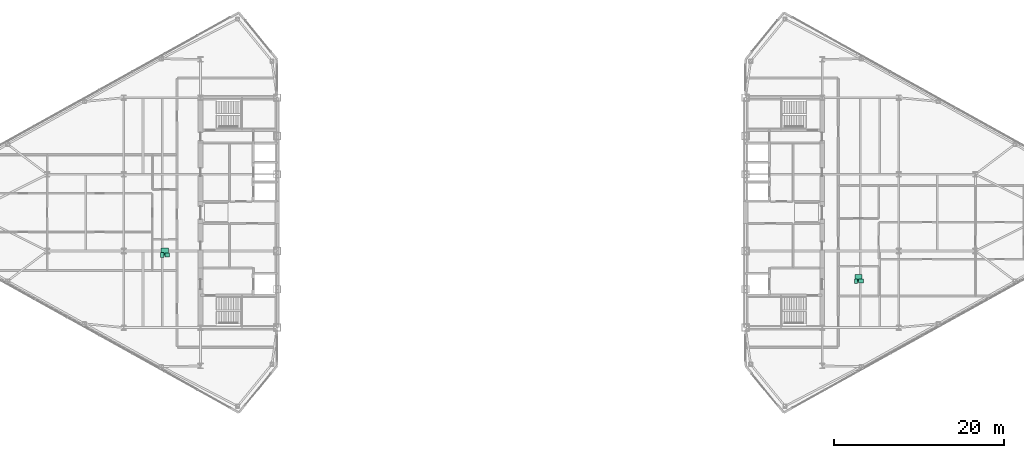
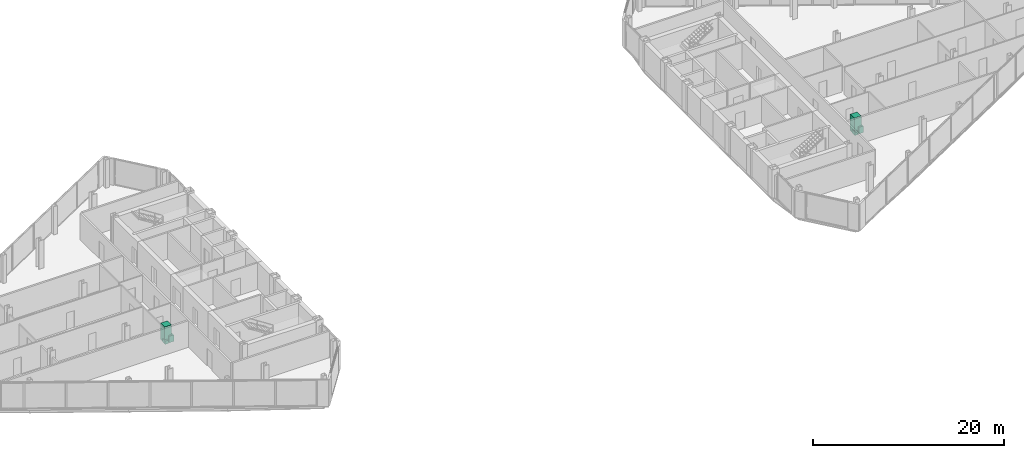
# One storey, part 25 of 25: 6 sanitary terminals.
"""IFC4 building model written with IfcOpenShell, lengths in metres."""

from ifc_helpers import new_model, si_unit, direction, frame, origin, origin_2d, place, context, subcontext, project, spatial, rectangle, extrude, source, transform, mapped, material, type_object, type_shapes, element, save


model = new_model("IFC4")

# Units and contexts
model_context = context("Model", 3, precision=1e-05, world=origin(), true_north=direction((0.0, 1.0)))
body_context = subcontext(model_context, "Body", "Model", "MODEL_VIEW")
ifc_project = project(units=[si_unit("LENGTHUNIT", "METRE"), si_unit("AREAUNIT", "SQUARE_METRE"), si_unit("VOLUMEUNIT", "CUBIC_METRE"), si_unit("PLANEANGLEUNIT", "RADIAN"), si_unit("MASSUNIT", "GRAM", prefix="KILO")], contexts=[model_context])

# Site, building, storey
site_placement = place(None, origin())
site = spatial("IfcSite", under=ifc_project, at=site_placement, CompositionType="ELEMENT")
building_placement = place(site_placement, origin())
building = spatial("IfcBuilding", under=site, at=building_placement, Name="Seokmaru Belvedere", CompositionType="ELEMENT")
storey_placement = place(building_placement, frame((0.0, 0.0, 185.10009765625)))
storey = spatial("IfcBuildingStorey", under=building, at=storey_placement, Name="L49", CompositionType="ELEMENT", Elevation=185.10009765625)

# Sanitary terminals
ifc_material_1 = material(Name="Vitreous China Sanitaryware")
sanitary_terminal_type_1 = type_object("IfcSanitaryTerminalType", Name="Wall-Hung Vitreous China WC Pan", PredefinedType="TOILETPAN", material=ifc_material_1)
shared_shape_1 = source(origin(), body_context, "Body", "SweptSolid", [
    extrude(rectangle(XDim=0.3798828125, YDim=0.56005859375, at=origin_2d()), origin(), (0.0, 0.0, 1.0), 0.419921875),
])
type_shapes(sanitary_terminal_type_1, [shared_shape_1])
for number, where, z_axis, x_axis, name in (
    (1, (-41.0, -4.965087890625, 0.0), (0.0, 0.0, 1.0), (1.0, 0.0, 0.0), "L49 Vitreous China WC 0245"),
    (2, (40.47509765625, -8.0458984375, 0.0), (0.0, 0.0, 1.0), (1.0, 0.0, 0.0), "L49 Vitreous China WC 0246"),
):
    element("IfcSanitaryTerminal", number, at=place(storey_placement, frame(where, z_axis=z_axis, x_axis=x_axis)), inside=storey, type_object=sanitary_terminal_type_1, Name=name, PredefinedType="TOILETPAN", context=body_context, shape_type="MappedRepresentation", body=[
        mapped(shared_shape_1, transform((0.0, 0.0, 0.0), scale=1.0)),
    ])
sanitary_terminal_type_2 = type_object("IfcSanitaryTerminalType", Name="Countertop Ceramic Washhand Basin", PredefinedType="WASHHANDBASIN", material=ifc_material_1)
shared_shape_2 = source(origin(), body_context, "Body", "SweptSolid", [
    extrude(rectangle(XDim=0.550048828125, YDim=0.449951171875, at=origin_2d()), origin(), (0.0, 0.0, 1.0), 0.820068359375),
])
type_shapes(sanitary_terminal_type_2, [shared_shape_2])
for number, where, z_axis, x_axis, name in (
    (3, (-40.39990234375, -4.965087890625, 0.0), (0.0, 0.0, 1.0), (1.0, 0.0, 0.0), "L49 Ceramic Washhand Basin 0245"),
    (4, (41.074951171875, -8.0458984375, 0.0), (0.0, 0.0, 1.0), (1.0, 0.0, 0.0), "L49 Ceramic Washhand Basin 0246"),
):
    element("IfcSanitaryTerminal", number, at=place(storey_placement, frame(where, z_axis=z_axis, x_axis=x_axis)), inside=storey, type_object=sanitary_terminal_type_2, Name=name, PredefinedType="WASHHANDBASIN", context=body_context, shape_type="MappedRepresentation", body=[
        mapped(shared_shape_2, transform((0.0, 0.0, 0.0), scale=1.0)),
    ])
ifc_material_2 = material(Name="Stainless Steel 316", Category="steel")
sanitary_terminal_type_3 = type_object("IfcSanitaryTerminalType", Name="Walk-In Thermostatic Rain Shower Enclosure", PredefinedType="SHOWER", material=ifc_material_2)
shared_shape_3 = source(origin(), body_context, "Body", "SweptSolid", [
    extrude(rectangle(XDim=0.85009765625, YDim=0.85009765625, at=origin_2d()), origin(), (0.0, 0.0, 1.0), 2.050048828125),
])
type_shapes(sanitary_terminal_type_3, [shared_shape_3])
for number, where, z_axis, x_axis, name in (
    (5, (-40.699951171875, -4.5849609375, 0.0), (0.0, 0.0, 1.0), (1.0, 0.0, 0.0), "L49 Walk-In Shower 0245"),
    (6, (40.77490234375, -7.666015625, 0.0), (0.0, 0.0, 1.0), (1.0, 0.0, 0.0), "L49 Walk-In Shower 0246"),
):
    element("IfcSanitaryTerminal", number, at=place(storey_placement, frame(where, z_axis=z_axis, x_axis=x_axis)), inside=storey, type_object=sanitary_terminal_type_3, Name=name, PredefinedType="SHOWER", context=body_context, shape_type="MappedRepresentation", body=[
        mapped(shared_shape_3, transform((0.0, 0.0, 0.0), scale=1.0)),
    ])

save(model, "model.ifc")
